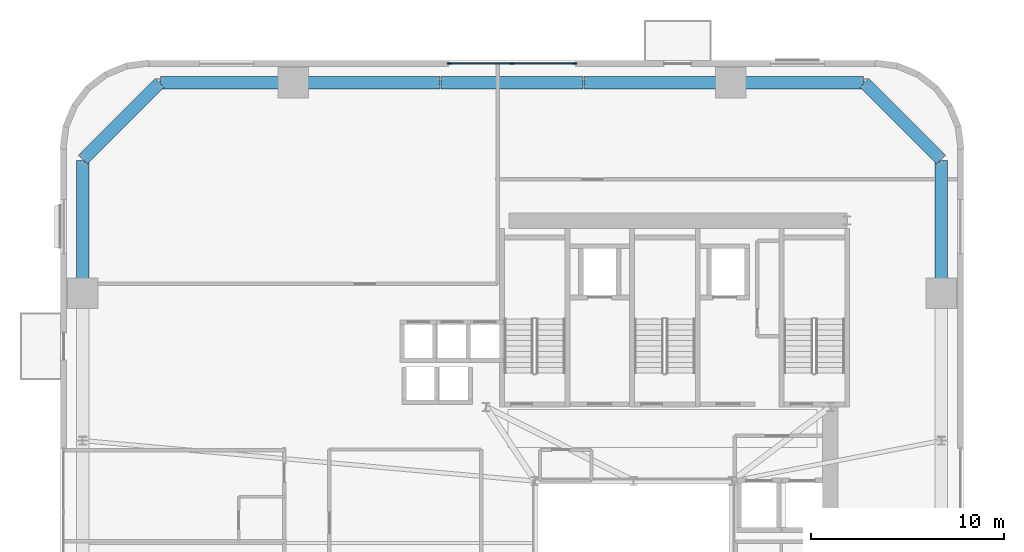
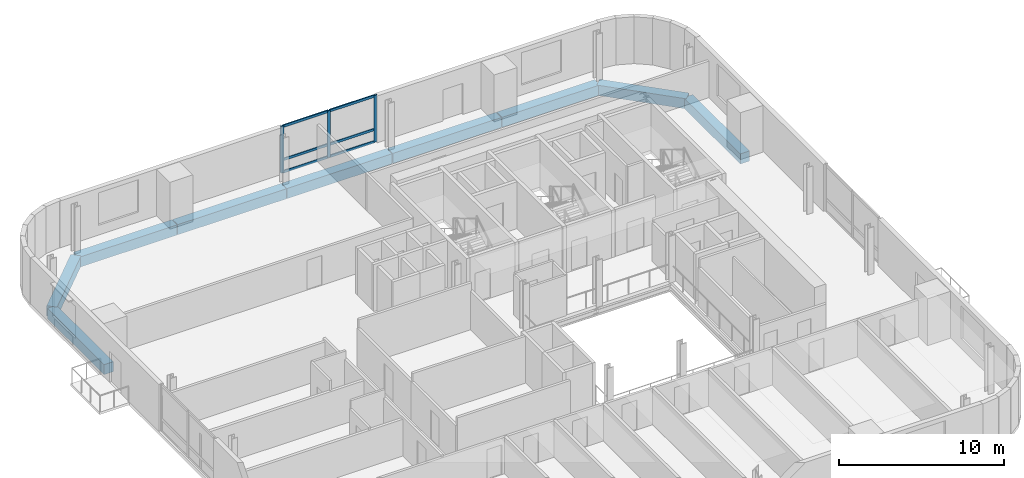
# One storey, part 4 of 14: 9 beams, 9 members, 1 element without a shape of its own.
"""IFC4 building model written with IfcOpenShell, lengths in metres."""

from ifc_helpers import new_model, si_unit, direction, frame, origin, origin_2d, place, context, subcontext, project, spatial, rectangle, extrude, source, transform, mapped, material, material_profile, profile_set, type_object, element, aggregate, save


model = new_model("IFC4")

# Units and contexts
model_context = context("Model", 3, precision=1e-05, world=origin(), true_north=direction((0.0, 1.0)))
body_context = subcontext(model_context, "Body", "Model", "MODEL_VIEW")
ifc_project = project(units=[si_unit("LENGTHUNIT", "METRE"), si_unit("AREAUNIT", "SQUARE_METRE"), si_unit("VOLUMEUNIT", "CUBIC_METRE"), si_unit("PLANEANGLEUNIT", "RADIAN"), si_unit("MASSUNIT", "GRAM", prefix="KILO")], contexts=[model_context])

# Site, building, storey
site_placement = place(None, origin())
site = spatial("IfcSite", under=ifc_project, at=site_placement, CompositionType="ELEMENT")
building_placement = place(site_placement, origin())
building = spatial("IfcBuilding", under=site, at=building_placement, Name="Vardaveli Station Tower", CompositionType="ELEMENT")
storey_placement = place(building_placement, frame((0.0, 0.0, 133.5)))
storey = spatial("IfcBuildingStorey", under=building, at=storey_placement, Name="L34", CompositionType="ELEMENT", Elevation=133.5)

# Beams
ifc_material_1 = material(Name="Precast concrete C45/55", Category="concrete")
ifc_material_profile_1 = material_profile(ifc_material_1, rectangle(XDim=0.64990234375, YDim=0.75, at=origin_2d()), Name="LPB 650x750")
ifc_profile_set_1 = profile_set([ifc_material_profile_1], Name="Precast concrete C45/55")
beam_type = type_object("IfcBeamType", Name="BM-LPB-750", PredefinedType="BEAM", material=ifc_profile_set_1)
shared_shape_1 = source(origin(), body_context, "Body", "SweptSolid", [
    extrude(rectangle(XDim=0.64990234375, YDim=0.75, at=origin_2d()), origin(), (0.0, 0.0, 1.0), 7.60009765625),
])
for number, where, z_axis, x_axis, name in (
    (1, (41.320068359375, 47.449951171875, -0.614990234375), (-1.0, 0.0, 0.0), (0.0, -1.0, 0.0), "RBM-L34-13"),
    (2, (26.280029296875, 47.449951171875, -0.614990234375), (-1.0, 0.0, 0.0), (0.0, -1.0, 0.0), "RBM-L34-15"),
):
    element("IfcBeam", number, at=place(storey_placement, frame(where, z_axis=z_axis, x_axis=x_axis)), inside=storey, type_object=beam_type, Name=name, PredefinedType="BEAM", context=body_context, shape_type="MappedRepresentation", body=[
        mapped(shared_shape_1, transform((0.0, 0.0, 0.0), scale=1.0)),
    ])
shared_shape_2 = source(origin(), body_context, "Body", "SweptSolid", [
    extrude(rectangle(XDim=0.64990234375, YDim=0.75, at=origin_2d()), origin(), (0.0, 0.0, 1.0), 7.35986328125),
])
beam_placement = place(storey_placement, frame((33.679931640625, 47.449951171875, -0.614990234375), z_axis=(-1.0, 0.0, 0.0), x_axis=(0.0, -1.0, 0.0)))
element("IfcBeam", 3, at=beam_placement, inside=storey, type_object=beam_type, Name="RBM-L34-14", PredefinedType="BEAM", context=body_context, shape_type="MappedRepresentation", body=[
    mapped(shared_shape_2, transform((0.0, 0.0, 0.0), scale=1.0)),
])
shared_shape_3 = source(origin(), body_context, "Body", "SweptSolid", [
    extrude(rectangle(XDim=0.64990234375, YDim=0.75, at=origin_2d()), origin(), (0.0, 0.0, 1.0), 6.869873046875),
])
for number, where, z_axis, x_axis, name in (
    (4, (52.25, 36.56005859375, -0.614990234375), (0.0, 1.0, 0.0), (-1.0, 0.0, 0.0), "RBM-L34-10"),
    (5, (48.22998046875, 47.449951171875, -0.614990234375), (-1.0, 0.0, 0.0), (0.0, -1.0, 0.0), "RBM-L34-12"),
    (6, (18.639892578125, 47.449951171875, -0.614990234375), (-1.0, 0.0, 0.0), (0.0, -1.0, 0.0), "RBM-L34-16"),
    (7, (7.75, 43.429931640625, -0.614990234375), (0.0, -1.0, 0.0), (1.0, 0.0, 0.0), "RBM-L34-18"),
):
    element("IfcBeam", number, at=place(storey_placement, frame(where, z_axis=z_axis, x_axis=x_axis)), inside=storey, type_object=beam_type, Name=name, PredefinedType="BEAM", context=body_context, shape_type="MappedRepresentation", body=[
        mapped(shared_shape_3, transform((0.0, 0.0, 0.0), scale=1.0)),
    ])
shared_shape_4 = source(origin(), body_context, "Body", "SweptSolid", [
    extrude(rectangle(XDim=0.64990234375, YDim=0.75, at=origin_2d()), origin(), (0.0, 0.0, 1.0), 5.61669921875),
])
for number, where, z_axis, x_axis, name in (
    (8, (52.23583984375, 43.464111328125, -0.614990234375), (-0.707106781187, 0.707106781187, 0.0), (-0.707106781187, -0.707106781187, 0.0), "RBM-L34-11"),
    (9, (11.73583984375, 47.435791015625, -0.614990234375), (-0.707106781187, -0.707106781187, 0.0), (0.707106781187, -0.707106781187, 0.0), "RBM-L34-17"),
):
    element("IfcBeam", number, at=place(storey_placement, frame(where, z_axis=z_axis, x_axis=x_axis)), inside=storey, type_object=beam_type, Name=name, PredefinedType="BEAM", context=body_context, shape_type="MappedRepresentation", body=[
        mapped(shared_shape_4, transform((0.0, 0.0, 0.0), scale=1.0)),
    ])

# Curtain wall, members
ifc_material_2 = material(Name="Travertine stone and solar-control glass", Category="masonry")
curtain_wall_type = type_object("IfcCurtainWallType", Name="CW-SYS-2", PredefinedType="NOTDEFINED", material=ifc_material_2)
curtain_wall_placement = place(storey_placement, origin())
curtain_wall = element("IfcCurtainWall", 10, at=curtain_wall_placement, inside=storey, type_object=curtain_wall_type, Name="CW-L34-N", PredefinedType="NOTDEFINED")
ifc_material_3 = material(Name="Anodised aluminium alloy 6063-T6", Category="aluminium")
ifc_material_profile_2 = material_profile(ifc_material_3, rectangle(XDim=0.0849609375, YDim=0.179931640625, at=origin_2d()), Name="CWT 85x180")
ifc_profile_set_2 = profile_set([ifc_material_profile_2], Name="Anodised aluminium alloy 6063-T6")
member_type_1 = type_object("IfcMemberType", Name="CW-SYS-2-TRAN", PredefinedType="NOTDEFINED", material=ifc_profile_set_2)
shared_shape_5 = source(origin(), body_context, "Body", "SweptSolid", [
    extrude(rectangle(XDim=0.0849609375, YDim=0.179931640625, at=origin_2d()), origin(), (0.0, 0.0, 1.0), 3.172607421875),
])
member_1_placement = place(storey_placement, frame((33.215087890625, 48.43994140625, 0.04248046875), z_axis=(-1.0, 0.0, 0.0), x_axis=(0.0, -1.0, 0.0)))
member_1 = element("IfcMember", 11, at=member_1_placement, type_object=member_type_1, Name="CW-2 transom 1.1", ObjectType="TRANSOM", PredefinedType="USERDEFINED", context=body_context, shape_type="MappedRepresentation", body=[
    mapped(shared_shape_5, transform((0.0, 0.0, 0.0), scale=1.0)),
])
member_2_placement = place(storey_placement, frame((33.215087890625, 48.43994140625, 0.949951171875), z_axis=(-1.0, 0.0, 0.0), x_axis=(0.0, -1.0, 0.0)))
member_2 = element("IfcMember", 12, at=member_2_placement, type_object=member_type_1, Name="CW-2 transom 1.2", ObjectType="TRANSOM", PredefinedType="USERDEFINED", context=body_context, shape_type="MappedRepresentation", body=[
    mapped(shared_shape_5, transform((0.0, 0.0, 0.0), scale=1.0)),
])
member_3_placement = place(storey_placement, frame((33.215087890625, 48.43994140625, 3.41748046875), z_axis=(-1.0, 0.0, 0.0), x_axis=(0.0, -1.0, 0.0)))
member_3 = element("IfcMember", 13, at=member_3_placement, type_object=member_type_1, Name="CW-2 transom 1.3", ObjectType="TRANSOM", PredefinedType="USERDEFINED", context=body_context, shape_type="MappedRepresentation", body=[
    mapped(shared_shape_5, transform((0.0, 0.0, 0.0), scale=1.0)),
])
member_4_placement = place(storey_placement, frame((29.95751953125, 48.43994140625, 0.04248046875), z_axis=(-1.0, 0.0, 0.0), x_axis=(0.0, -1.0, 0.0)))
member_4 = element("IfcMember", 14, at=member_4_placement, type_object=member_type_1, Name="CW-2 transom 2.1", ObjectType="TRANSOM", PredefinedType="USERDEFINED", context=body_context, shape_type="MappedRepresentation", body=[
    mapped(shared_shape_5, transform((0.0, 0.0, 0.0), scale=1.0)),
])
member_5_placement = place(storey_placement, frame((29.95751953125, 48.43994140625, 0.949951171875), z_axis=(-1.0, 0.0, 0.0), x_axis=(0.0, -1.0, 0.0)))
member_5 = element("IfcMember", 15, at=member_5_placement, type_object=member_type_1, Name="CW-2 transom 2.2", ObjectType="TRANSOM", PredefinedType="USERDEFINED", context=body_context, shape_type="MappedRepresentation", body=[
    mapped(shared_shape_5, transform((0.0, 0.0, 0.0), scale=1.0)),
])
member_6_placement = place(storey_placement, frame((29.95751953125, 48.43994140625, 3.41748046875), z_axis=(-1.0, 0.0, 0.0), x_axis=(0.0, -1.0, 0.0)))
member_6 = element("IfcMember", 16, at=member_6_placement, type_object=member_type_1, Name="CW-2 transom 2.3", ObjectType="TRANSOM", PredefinedType="USERDEFINED", context=body_context, shape_type="MappedRepresentation", body=[
    mapped(shared_shape_5, transform((0.0, 0.0, 0.0), scale=1.0)),
])
ifc_material_profile_3 = material_profile(ifc_material_3, rectangle(XDim=0.0849609375, YDim=0.219970703125, at=origin_2d()), Name="CWM 85x220")
ifc_profile_set_3 = profile_set([ifc_material_profile_3], Name="Anodised aluminium alloy 6063-T6")
member_type_2 = type_object("IfcMemberType", Name="CW-SYS-2-MULL", PredefinedType="MULLION", material=ifc_profile_set_3)
shared_shape_6 = source(origin(), body_context, "Body", "SweptSolid", [
    extrude(rectangle(XDim=0.0849609375, YDim=0.219970703125, at=origin_2d()), origin(), (0.0, 0.0, 1.0), 3.4599609375),
])
member_7_placement = place(storey_placement, frame((33.257568359375, 48.43994140625, 0.0), z_axis=(0.0, 0.0, 1.0), x_axis=(0.0, -1.0, 0.0)))
member_7 = element("IfcMember", 17, at=member_7_placement, type_object=member_type_2, Name="CW-2 mullion 1", PredefinedType="MULLION", context=body_context, shape_type="MappedRepresentation", body=[
    mapped(shared_shape_6, transform((0.0, 0.0, 0.0), scale=1.0)),
])
member_8_placement = place(storey_placement, frame((30.0, 48.43994140625, 0.0), z_axis=(0.0, 0.0, 1.0), x_axis=(0.0, -1.0, 0.0)))
member_8 = element("IfcMember", 18, at=member_8_placement, type_object=member_type_2, Name="CW-2 mullion 2", PredefinedType="MULLION", context=body_context, shape_type="MappedRepresentation", body=[
    mapped(shared_shape_6, transform((0.0, 0.0, 0.0), scale=1.0)),
])
member_9_placement = place(storey_placement, frame((26.742431640625, 48.43994140625, 0.0), z_axis=(0.0, 0.0, 1.0), x_axis=(0.0, -1.0, 0.0)))
member_9 = element("IfcMember", 19, at=member_9_placement, type_object=member_type_2, Name="CW-2 mullion 3", PredefinedType="MULLION", context=body_context, shape_type="MappedRepresentation", body=[
    mapped(shared_shape_6, transform((0.0, 0.0, 0.0), scale=1.0)),
])
aggregate(curtain_wall, [member_7, member_8, member_9, member_1, member_2, member_3, member_4, member_5, member_6])

save(model, "model.ifc")
